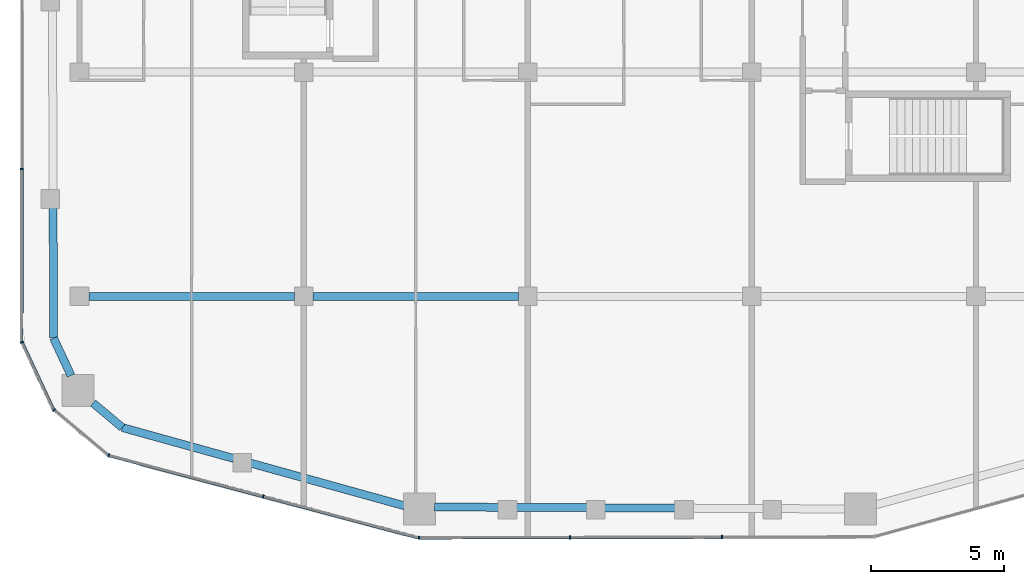
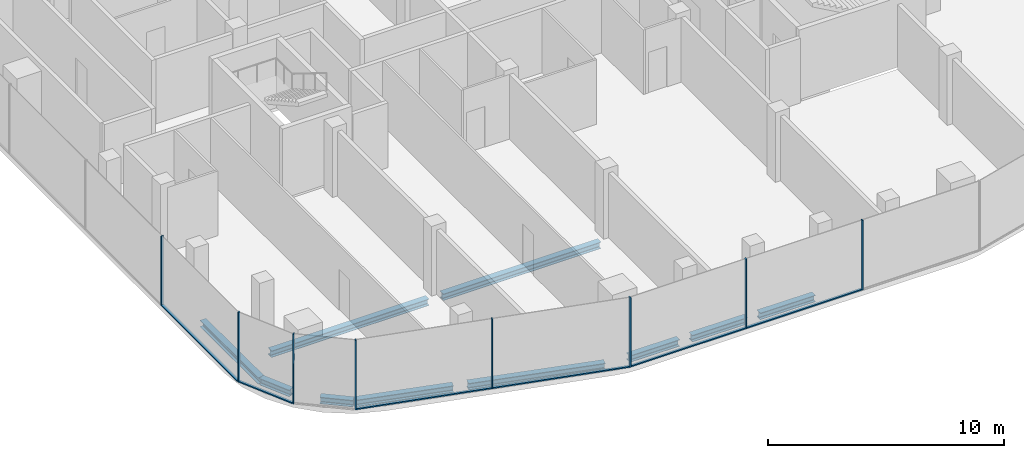
# One storey, part 2 of 19: 14 members, 10 beams, 5 elements without a shape of their own.
"""IFC4 building model written with IfcOpenShell, lengths in metres."""

from ifc_helpers import new_model, si_unit, direction, frame, origin, origin_2d, place, context, subcontext, project, spatial, rectangle, i_section, extrude, material, layer, layer_set, material_profile, profile_set, type_object, element, aggregate, save


model = new_model("IFC4")

# Units and contexts
model_context = context("Model", 3, precision=1e-05, world=origin(), true_north=direction((0.0, 1.0)))
body_context = subcontext(model_context, "Body", "Model", "MODEL_VIEW")
ifc_project = project(units=[si_unit("LENGTHUNIT", "METRE"), si_unit("AREAUNIT", "SQUARE_METRE"), si_unit("VOLUMEUNIT", "CUBIC_METRE"), si_unit("PLANEANGLEUNIT", "RADIAN"), si_unit("MASSUNIT", "GRAM", prefix="KILO")], contexts=[model_context])

# Site, building, storey
site_placement = place(None, origin())
site = spatial("IfcSite", under=ifc_project, at=site_placement, CompositionType="ELEMENT")
building_placement = place(site_placement, origin())
building = spatial("IfcBuilding", under=site, at=building_placement, Name="Marenta Gate Hotel Tower", CompositionType="ELEMENT")
storey_placement = place(building_placement, frame((0.0, 0.0, 274.10009765625)))
storey = spatial("IfcBuildingStorey", under=building, at=storey_placement, Name="L63", CompositionType="ELEMENT", Elevation=274.10009765625)

# Beams
ifc_material_1 = material(Name="Steel S355", Category="steel")
ifc_material_profile_1 = material_profile(ifc_material_1, i_section(OverallWidth=0.300048828125, OverallDepth=0.340087890625, WebThickness=0.011962890625, FlangeThickness=0.021484375, FilletRadius=0.027099609375, at=origin_2d()), Name="HEB 340")
ifc_profile_set_1 = profile_set([ifc_material_profile_1], Name="Steel S355")
beam_type_1 = type_object("IfcBeamType", Name="Edge beam HEB 340", PredefinedType="SPANDREL", material=ifc_profile_set_1)
beam_1_placement = place(storey_placement, frame((-8.82763671875, -33.050048828125, -0.43017578125), z_axis=(-0.963628272095, 0.267246240794, 0.0), x_axis=(-0.267246240794, -0.963628272095, 0.0)))
element("IfcBeam", 1, at=beam_1_placement, inside=storey, type_object=beam_type_1, Name="L63-EB-1", PredefinedType="SPANDREL", context=body_context, shape_type="SweptSolid", body=[
    extrude(i_section(OverallWidth=0.300048828125, OverallDepth=0.340087890625, WebThickness=0.011962890625, FlangeThickness=0.021484375, FilletRadius=0.027099609375, at=origin_2d()), origin(), (0.0, 0.0, 1.0), 5.985595703125),
])
beam_2_placement = place(storey_placement, frame((-15.21826171875, -31.277587890625, -0.43017578125), z_axis=(-0.963621892072, 0.26726924462, 0.0), x_axis=(-0.26726924462, -0.963621892072, 0.0)))
element("IfcBeam", 2, at=beam_2_placement, inside=storey, type_object=beam_type_1, Name="L63-EB-2", PredefinedType="SPANDREL", context=body_context, shape_type="SweptSolid", body=[
    extrude(i_section(OverallWidth=0.300048828125, OverallDepth=0.340087890625, WebThickness=0.011962890625, FlangeThickness=0.021484375, FilletRadius=0.027099609375, at=origin_2d()), origin(), (0.0, 0.0, 1.0), 4.336181640625),
])
beam_3_placement = place(storey_placement, frame((-19.396728515625, -30.11865234375, -0.43017578125), z_axis=(-0.767142559017, 0.641476651286, 0.0), x_axis=(-0.641476651286, -0.767142559017, 0.0)))
element("IfcBeam", 3, at=beam_3_placement, inside=storey, type_object=beam_type_1, Name="L63-EB-3", PredefinedType="SPANDREL", context=body_context, shape_type="SweptSolid", body=[
    extrude(i_section(OverallWidth=0.300048828125, OverallDepth=0.340087890625, WebThickness=0.011962890625, FlangeThickness=0.021484375, FilletRadius=0.027099609375, at=origin_2d()), origin(), (0.0, 0.0, 1.0), 1.429931640625),
])
beam_4_placement = place(storey_placement, frame((-21.320068359375, -28.169189453125, -0.43017578125), z_axis=(-0.423265429814, 0.90600572621, 0.0), x_axis=(-0.90600572621, -0.423265429814, 0.0)))
element("IfcBeam", 4, at=beam_4_placement, inside=storey, type_object=beam_type_1, Name="L63-EB-4", PredefinedType="SPANDREL", context=body_context, shape_type="SweptSolid", body=[
    extrude(i_section(OverallWidth=0.300048828125, OverallDepth=0.340087890625, WebThickness=0.011962890625, FlangeThickness=0.021484375, FilletRadius=0.027099609375, at=origin_2d()), origin(), (0.0, 0.0, 1.0), 1.547607421875),
])
beam_5_placement = place(storey_placement, frame((-21.97509765625, -26.76708984375, -0.43017578125), z_axis=(-0.003334642021, 0.999994440066, 0.0), x_axis=(-0.999994440066, -0.003334642021, 0.0)))
element("IfcBeam", 5, at=beam_5_placement, inside=storey, type_object=beam_type_1, Name="L63-EB-5", PredefinedType="SPANDREL", context=body_context, shape_type="SweptSolid", body=[
    extrude(i_section(OverallWidth=0.300048828125, OverallDepth=0.340087890625, WebThickness=0.011962890625, FlangeThickness=0.021484375, FilletRadius=0.027099609375, at=origin_2d()), origin(), (0.0, 0.0, 1.0), 4.9052734375),
])
beam_6_placement = place(storey_placement, frame((1.343505859375, -33.139404296875, -0.43017578125), z_axis=(-0.999988405416, 0.004815499317, 0.0), x_axis=(-0.004815499317, -0.999988405416, 0.0)))
element("IfcBeam", 6, at=beam_6_placement, inside=storey, type_object=beam_type_1, Name="L63-EB-33", PredefinedType="SPANDREL", context=body_context, shape_type="SweptSolid", body=[
    extrude(i_section(OverallWidth=0.300048828125, OverallDepth=0.340087890625, WebThickness=0.011962890625, FlangeThickness=0.021484375, FilletRadius=0.027099609375, at=origin_2d()), origin(), (0.0, 0.0, 1.0), 2.68701171875),
])
beam_7_placement = place(storey_placement, frame((-1.96337890625, -33.12353515625, -0.43017578125), z_axis=(-0.999988403309, 0.004815936881, 0.0), x_axis=(-0.004815936881, -0.999988403309, 0.0)))
element("IfcBeam", 7, at=beam_7_placement, inside=storey, type_object=beam_type_1, Name="L63-EB-34", PredefinedType="SPANDREL", context=body_context, shape_type="SweptSolid", body=[
    extrude(i_section(OverallWidth=0.300048828125, OverallDepth=0.340087890625, WebThickness=0.011962890625, FlangeThickness=0.021484375, FilletRadius=0.027099609375, at=origin_2d()), origin(), (0.0, 0.0, 1.0), 2.686767578125),
])
beam_8_placement = place(storey_placement, frame((-5.27001953125, -33.107666015625, -0.43017578125), z_axis=(-0.999988431664, 0.004810045568, 0.0), x_axis=(-0.004810045568, -0.999988431664, 0.0)))
element("IfcBeam", 8, at=beam_8_placement, inside=storey, type_object=beam_type_1, Name="L63-EB-35", PredefinedType="SPANDREL", context=body_context, shape_type="SweptSolid", body=[
    extrude(i_section(OverallWidth=0.300048828125, OverallDepth=0.340087890625, WebThickness=0.011962890625, FlangeThickness=0.021484375, FilletRadius=0.027099609375, at=origin_2d()), origin(), (0.0, 0.0, 1.0), 2.436279296875),
])
ifc_material_2 = material(Name="Steel S355", Category="steel")
ifc_material_profile_2 = material_profile(ifc_material_2, i_section(OverallWidth=0.300048828125, OverallDepth=0.340087890625, WebThickness=0.011962890625, FlangeThickness=0.021484375, FilletRadius=0.027099609375, at=origin_2d()), Name="HEB 340")
ifc_profile_set_2 = profile_set([ifc_material_profile_2], Name="Steel S355")
beam_type_2 = type_object("IfcBeamType", Name="Girder HEB 340", PredefinedType="BEAM", material=ifc_profile_set_2)
for number, where, z_axis, x_axis, name in (
    (9, (-20.64990234375, -25.199951171875, -0.43017578125), (1.0, 0.0, 0.0), (0.0, 1.0, 0.0), "L63-GD-1"),
    (10, (-12.25, -25.199951171875, -0.43017578125), (1.0, 0.0, 0.0), (0.0, 1.0, 0.0), "L63-GD-2"),
):
    element("IfcBeam", number, at=place(storey_placement, frame(where, z_axis=z_axis, x_axis=x_axis)), inside=storey, type_object=beam_type_2, Name=name, PredefinedType="BEAM", context=body_context, shape_type="SweptSolid", body=[
        extrude(i_section(OverallWidth=0.300048828125, OverallDepth=0.340087890625, WebThickness=0.011962890625, FlangeThickness=0.021484375, FilletRadius=0.027099609375, at=origin_2d()), origin(), (0.0, 0.0, 1.0), 7.699951171875),
    ])

# Curtain wall, member
ifc_material_3 = material(Name="Tinted insulated glass in bronze anodised frame", Category="glass")
ifc_layer = layer(ifc_material_3, 0.1201171875)
ifc_layer_set = layer_set([ifc_layer], Name="Tinted insulated glass in bronze anodised frame")
curtain_wall_type = type_object("IfcCurtainWallType", Name="Tower unitised curtain wall CW1", PredefinedType="NOTDEFINED", material=ifc_layer_set)
curtain_wall_1_placement = place(storey_placement, origin())
curtain_wall_1 = element("IfcCurtainWall", 11, at=curtain_wall_1_placement, inside=storey, type_object=curtain_wall_type, Name="CW1 run G03", PredefinedType="NOTDEFINED")
ifc_material_4 = material(Name="Bronze anodised aluminium", Category="aluminium")
ifc_material_profile_3 = material_profile(ifc_material_4, rectangle(XDim=0.1201171875, YDim=0.06005859375, at=origin_2d()), Name="Mullion CW1 60x120 bronze anodised aluminium")
ifc_profile_set_3 = profile_set([ifc_material_profile_3], Name="Bronze anodised aluminium")
member_type_1 = type_object("IfcMemberType", Name="Mullion CW1 60x120 bronze anodised aluminium", PredefinedType="MULLION", material=ifc_profile_set_3)
member_1_placement = place(storey_placement, frame((-23.162841796875, -20.433837890625, 0.0), z_axis=(0.0, 0.0, 1.0), x_axis=(0.99999877375, -0.001566045546, 0.0)))
member_1 = element("IfcMember", 12, at=member_1_placement, type_object=member_type_1, Name="CW1 mullion 6", PredefinedType="MULLION", context=body_context, shape_type="SweptSolid", body=[
    extrude(rectangle(XDim=0.1201171875, YDim=0.06005859375, at=origin_2d()), origin(), (0.0, 0.0, 1.0), 3.599853515625),
])

curtain_wall_2_placement = place(storey_placement, origin())
curtain_wall_2 = element("IfcCurtainWall", 13, at=curtain_wall_2_placement, inside=storey, type_object=curtain_wall_type, Name="CW1 run G04", PredefinedType="NOTDEFINED")
member_2_placement = place(storey_placement, frame((-23.160400390625, -26.9208984375, 0.0), z_axis=(0.0, 0.0, 1.0), x_axis=(0.905972194447, 0.42333719762, 0.0)))
member_2 = element("IfcMember", 14, at=member_2_placement, type_object=member_type_1, Name="CW1 mullion 1", PredefinedType="MULLION", context=body_context, shape_type="SweptSolid", body=[
    extrude(rectangle(XDim=0.1201171875, YDim=0.06005859375, at=origin_2d()), origin(), (0.0, 0.0, 1.0), 3.599853515625),
])

curtain_wall_3_placement = place(storey_placement, origin())
curtain_wall_3 = element("IfcCurtainWall", 15, at=curtain_wall_3_placement, inside=storey, type_object=curtain_wall_type, Name="CW1 run G05", PredefinedType="NOTDEFINED")
member_3_placement = place(storey_placement, frame((-21.9599609375, -29.4599609375, 0.0), z_axis=(0.0, 0.0, 1.0), x_axis=(0.641524739495, 0.767102345594, 0.0)))
member_3 = element("IfcMember", 16, at=member_3_placement, type_object=member_type_1, Name="CW1 mullion 1", PredefinedType="MULLION", context=body_context, shape_type="SweptSolid", body=[
    extrude(rectangle(XDim=0.1201171875, YDim=0.06005859375, at=origin_2d()), origin(), (0.0, 0.0, 1.0), 3.599853515625),
])
aggregate(curtain_wall_3, [member_3])

# Curtain wall, members
curtain_wall_4_placement = place(storey_placement, origin())
curtain_wall_4 = element("IfcCurtainWall", 17, at=curtain_wall_4_placement, inside=storey, type_object=curtain_wall_type, Name="CW1 run G06", PredefinedType="NOTDEFINED")
member_4_placement = place(storey_placement, frame((-19.90625, -31.160888671875, 0.0), z_axis=(0.0, 0.0, 1.0), x_axis=(0.257133501765, 0.966375890775, 0.0)))
member_4 = element("IfcMember", 18, at=member_4_placement, type_object=member_type_1, Name="CW1 mullion 1", PredefinedType="MULLION", context=body_context, shape_type="SweptSolid", body=[
    extrude(rectangle(XDim=0.1201171875, YDim=0.06005859375, at=origin_2d()), origin(), (0.0, 0.0, 1.0), 3.599853515625),
])
member_5_placement = place(storey_placement, frame((-14.12060546875, -32.7001953125, 0.0), z_axis=(0.0, 0.0, 1.0), x_axis=(0.257133501765, 0.966375890775, 0.0)))
member_5 = element("IfcMember", 19, at=member_5_placement, type_object=member_type_1, Name="CW1 mullion 2", PredefinedType="MULLION", context=body_context, shape_type="SweptSolid", body=[
    extrude(rectangle(XDim=0.1201171875, YDim=0.06005859375, at=origin_2d()), origin(), (0.0, 0.0, 1.0), 3.599853515625),
])

curtain_wall_5_placement = place(storey_placement, origin())
curtain_wall_5 = element("IfcCurtainWall", 20, at=curtain_wall_5_placement, inside=storey, type_object=curtain_wall_type, Name="CW1 run G07", PredefinedType="NOTDEFINED")
member_6_placement = place(storey_placement, frame((-8.276123046875, -34.247314453125, 0.0), z_axis=(0.0, 0.0, 1.0), x_axis=(-0.002066595127, 0.99999786459, 0.0)))
member_6 = element("IfcMember", 21, at=member_6_placement, type_object=member_type_1, Name="CW1 mullion 1", PredefinedType="MULLION", context=body_context, shape_type="SweptSolid", body=[
    extrude(rectangle(XDim=0.1201171875, YDim=0.06005859375, at=origin_2d()), origin(), (0.0, 0.0, 1.0), 3.599853515625),
])
member_7_placement = place(storey_placement, frame((-2.6123046875, -34.235595703125, 0.0), z_axis=(0.0, 0.0, 1.0), x_axis=(-0.002066595127, 0.99999786459, 0.0)))
member_7 = element("IfcMember", 22, at=member_7_placement, type_object=member_type_1, Name="CW1 mullion 2", PredefinedType="MULLION", context=body_context, shape_type="SweptSolid", body=[
    extrude(rectangle(XDim=0.1201171875, YDim=0.06005859375, at=origin_2d()), origin(), (0.0, 0.0, 1.0), 3.599853515625),
])
member_8_placement = place(storey_placement, frame((3.081298828125, -34.223876953125, 0.0), z_axis=(0.0, 0.0, 1.0), x_axis=(-0.002066595127, 0.99999786459, 0.0)))
member_8 = element("IfcMember", 23, at=member_8_placement, type_object=member_type_1, Name="CW1 mullion 3", PredefinedType="MULLION", context=body_context, shape_type="SweptSolid", body=[
    extrude(rectangle(XDim=0.1201171875, YDim=0.06005859375, at=origin_2d()), origin(), (0.0, 0.0, 1.0), 3.599853515625),
])

# Member
ifc_material_5 = material(Name="Bronze anodised aluminium", Category="aluminium")
ifc_material_profile_4 = material_profile(ifc_material_5, rectangle(XDim=0.1201171875, YDim=0.06005859375, at=origin_2d()), Name="Transom CW1 60x120 bronze anodised aluminium")
ifc_profile_set_4 = profile_set([ifc_material_profile_4], Name="Bronze anodised aluminium")
member_type_2 = type_object("IfcMemberType", Name="Transom CW1 60x120 bronze anodised aluminium", PredefinedType="USERDEFINED", material=ifc_profile_set_4)
member_9_placement = place(storey_placement, frame((-23.162841796875, -20.4638671875, 0.02978515625), z_axis=(-0.001594712632, -0.999998728445, 0.0), x_axis=(0.999998728445, -0.001594712632, 0.0)))
member_9 = element("IfcMember", 24, at=member_9_placement, type_object=member_type_2, Name="CW1 transom 6.1", ObjectType="TRANSOM", PredefinedType="USERDEFINED", context=body_context, shape_type="SweptSolid", body=[
    extrude(rectangle(XDim=0.1201171875, YDim=0.06005859375, at=origin_2d()), origin(), (0.0, 0.0, 1.0), 6.429931640625),
])

aggregate(curtain_wall_1, [member_1, member_9])

member_10_placement = place(storey_placement, frame((-23.147705078125, -26.9482421875, 0.02978515625), z_axis=(0.423380923875, -0.905951761022, 0.0), x_axis=(0.905951761022, 0.423380923875, 0.0)))
member_10 = element("IfcMember", 25, at=member_10_placement, type_object=member_type_2, Name="CW1 transom 1.1", ObjectType="TRANSOM", PredefinedType="USERDEFINED", context=body_context, shape_type="SweptSolid", body=[
    extrude(rectangle(XDim=0.1201171875, YDim=0.06005859375, at=origin_2d()), origin(), (0.0, 0.0, 1.0), 2.751220703125),
])

aggregate(curtain_wall_2, [member_2, member_10])

member_11_placement = place(storey_placement, frame((-19.877197265625, -31.16845703125, 0.02978515625), z_axis=(0.966368129293, -0.257162669701, 0.0), x_axis=(0.257162669701, 0.966368129293, 0.0)))
member_11 = element("IfcMember", 26, at=member_11_placement, type_object=member_type_2, Name="CW1 transom 1.1", ObjectType="TRANSOM", PredefinedType="USERDEFINED", context=body_context, shape_type="SweptSolid", body=[
    extrude(rectangle(XDim=0.1201171875, YDim=0.06005859375, at=origin_2d()), origin(), (0.0, 0.0, 1.0), 5.9267578125),
])

member_12_placement = place(storey_placement, frame((-14.091796875, -32.7080078125, 0.02978515625), z_axis=(0.966381654848, -0.257111837869, 0.0), x_axis=(0.257111837869, 0.966381654848, 0.0)))
member_12 = element("IfcMember", 27, at=member_12_placement, type_object=member_type_2, Name="CW1 transom 2.1", ObjectType="TRANSOM", PredefinedType="USERDEFINED", context=body_context, shape_type="SweptSolid", body=[
    extrude(rectangle(XDim=0.1201171875, YDim=0.06005859375, at=origin_2d()), origin(), (0.0, 0.0, 1.0), 5.98681640625),
])

aggregate(curtain_wall_4, [member_4, member_5, member_11, member_12])

member_13_placement = place(storey_placement, frame((-8.24609375, -34.247314453125, 0.02978515625), z_axis=(0.999997813386, 0.002091225332, 0.0), x_axis=(-0.002091225332, 0.999997813386, 0.0)))
member_13 = element("IfcMember", 28, at=member_13_placement, type_object=member_type_2, Name="CW1 transom 1.1", ObjectType="TRANSOM", PredefinedType="USERDEFINED", context=body_context, shape_type="SweptSolid", body=[
    extrude(rectangle(XDim=0.1201171875, YDim=0.06005859375, at=origin_2d()), origin(), (0.0, 0.0, 1.0), 5.603759765625),
])

member_14_placement = place(storey_placement, frame((-2.582275390625, -34.235595703125, 0.02978515625), z_axis=(0.999997836446, 0.002080168847, 0.0), x_axis=(-0.002080168847, 0.999997836446, 0.0)))
member_14 = element("IfcMember", 29, at=member_14_placement, type_object=member_type_2, Name="CW1 transom 2.1", ObjectType="TRANSOM", PredefinedType="USERDEFINED", context=body_context, shape_type="SweptSolid", body=[
    extrude(rectangle(XDim=0.1201171875, YDim=0.06005859375, at=origin_2d()), origin(), (0.0, 0.0, 1.0), 5.633544921875),
])

aggregate(curtain_wall_5, [member_6, member_7, member_8, member_13, member_14])

save(model, "model.ifc")
